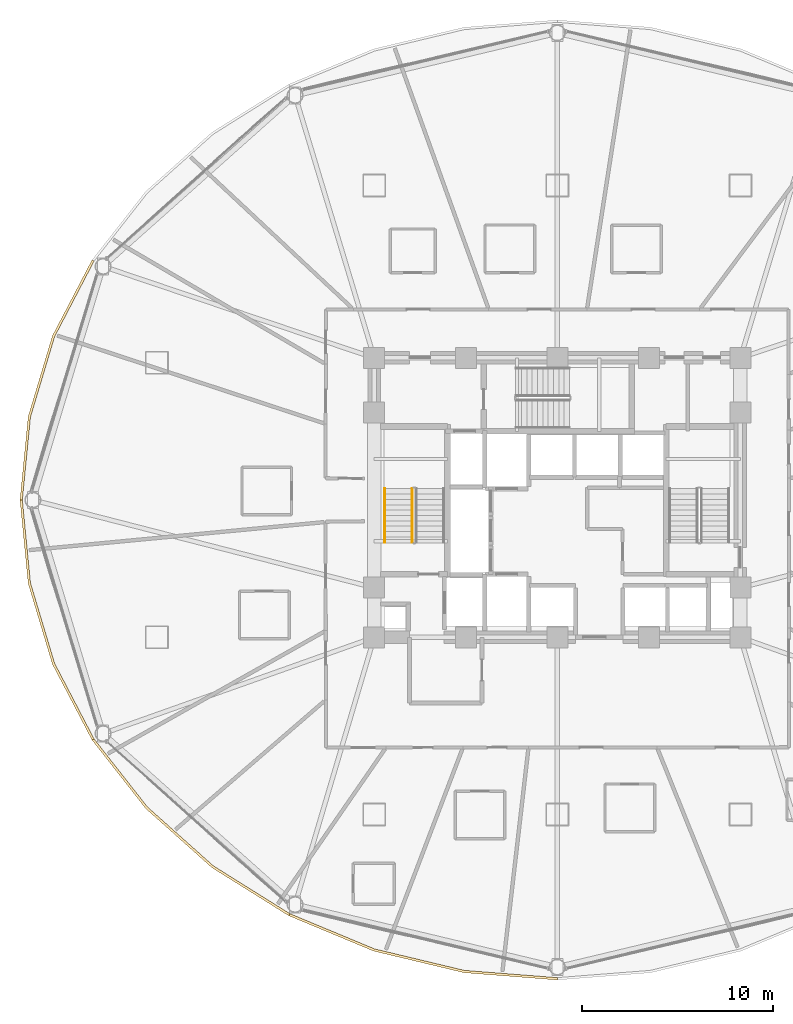
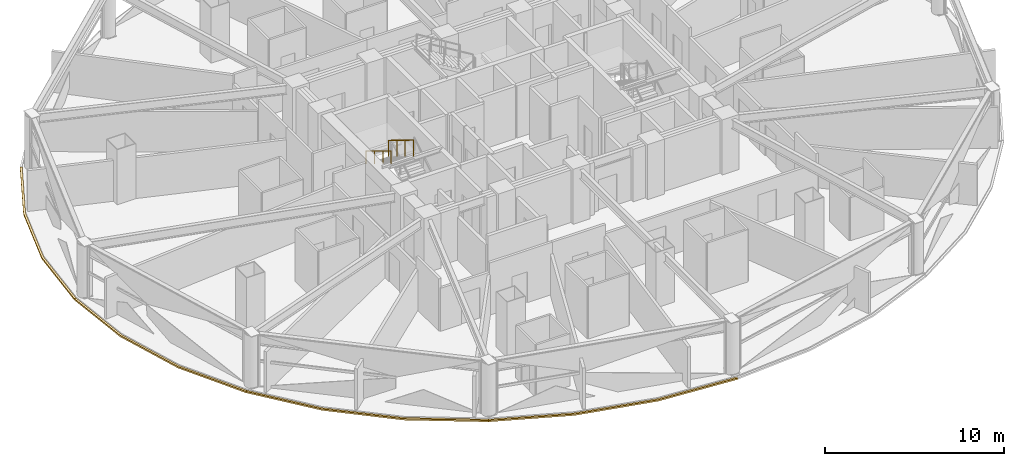
# One storey, part 26 of 30: 4 coverings, 2 railings.
"""IFC4 building model written with IfcOpenShell, lengths in metres."""

from ifc_helpers import new_model, si_unit, direction, frame, origin, origin_2d, place, context, subcontext, project, spatial, polyline, rectangle, outline, extrude, material, layer, layer_set, type_object, element, save


model = new_model("IFC4")

# Units and contexts
model_context = context("Model", 3, precision=1e-05, world=origin(), true_north=direction((0.0, 1.0)))
body_context = subcontext(model_context, "Body", "Model", "MODEL_VIEW")
ifc_project = project(units=[si_unit("LENGTHUNIT", "METRE"), si_unit("AREAUNIT", "SQUARE_METRE"), si_unit("VOLUMEUNIT", "CUBIC_METRE"), si_unit("PLANEANGLEUNIT", "RADIAN"), si_unit("MASSUNIT", "GRAM", prefix="KILO")], contexts=[model_context])

# Site, building, storey
site_placement = place(None, origin())
site = spatial("IfcSite", under=ifc_project, at=site_placement, CompositionType="ELEMENT")
building_placement = place(site_placement, origin())
building = spatial("IfcBuilding", under=site, at=building_placement, Name="Vantalir Tower", CompositionType="ELEMENT")
storey_placement = place(building_placement, frame((0.0, 0.0, 83.25)))
storey = spatial("IfcBuildingStorey", under=building, at=storey_placement, Name="L20", CompositionType="ELEMENT", Elevation=83.25)

# Coverings
ifc_material_1 = material(Name="Anodised champagne aluminium sill fascia", Category="aluminium")
ifc_layer = layer(ifc_material_1, 0.125)
ifc_layer_set = layer_set([ifc_layer], Name="Anodised champagne aluminium sill fascia")
covering_type = type_object("IfcCoveringType", Name="COV-SLAB-FASCIA-125", PredefinedType="CLADDING", material=ifc_layer_set)
covering_1_placement = place(storey_placement, frame((0.0, 0.0, -0.179931640625)))
element("IfcCovering", 1, at=covering_1_placement, inside=storey, type_object=covering_type, Name="L20 Perimeter Slab-Edge Sill Fascia 06", PredefinedType="CLADDING", context=body_context, shape_type="SweptSolid", body=[
    extrude(outline(polyline([(7.10009765625, 37.5849609375), (5.02392578125, 33.60888671875), (3.7529296875, 29.37109375), (3.324951171875, 25.0), (3.449951171875, 25.0), (3.8759765625, 29.34912109375), (5.14208984375, 33.56591796875), (7.2080078125, 37.52197265625), (7.10009765625, 37.5849609375)])), origin(), (0.0, 0.0, 1.0), 0.10498046875),
])
covering_2_placement = place(storey_placement, frame((0.0, 0.0, -0.179931640625)))
element("IfcCovering", 2, at=covering_2_placement, inside=storey, type_object=covering_type, Name="L20 Perimeter Slab-Edge Sill Fascia 07", PredefinedType="CLADDING", context=body_context, shape_type="SweptSolid", body=[
    extrude(outline(polyline([(3.324951171875, 25.0), (3.7529296875, 20.62890625), (5.02392578125, 16.39111328125), (7.10009765625, 12.4150390625), (7.2080078125, 12.47705078125), (5.14208984375, 16.43408203125), (3.8759765625, 20.65087890625), (3.449951171875, 25.0), (3.324951171875, 25.0)])), origin(), (0.0, 0.0, 1.0), 0.10498046875),
])
covering_3_placement = place(storey_placement, frame((0.0, 0.0, -0.179931640625)))
element("IfcCovering", 3, at=covering_3_placement, inside=storey, type_object=covering_type, Name="L20 Perimeter Slab-Edge Sill Fascia 08", PredefinedType="CLADDING", context=body_context, shape_type="SweptSolid", body=[
    extrude(outline(polyline([(7.10009765625, 12.4150390625), (9.9169921875, 8.821044921875), (13.388916015625, 5.718994140625), (17.412109375, 3.201904296875), (17.47509765625, 3.31005859375), (13.469970703125, 5.81396484375), (10.011962890625, 8.90087890625), (7.2080078125, 12.47705078125), (7.10009765625, 12.4150390625)])), origin(), (0.0, 0.0, 1.0), 0.10498046875),
])
covering_4_placement = place(storey_placement, frame((0.0, 0.0, -0.179931640625)))
element("IfcCovering", 4, at=covering_4_placement, inside=storey, type_object=covering_type, Name="L20 Perimeter Slab-Edge Sill Fascia 09", PredefinedType="CLADDING", context=body_context, shape_type="SweptSolid", body=[
    extrude(outline(polyline([(17.412109375, 3.201904296875), (21.864013671875, 1.347900390625), (26.60693359375, 0.2119140625), (31.5, -0.169921875), (31.5, -0.044921875), (26.62890625, 0.3349609375), (21.906005859375, 1.465087890625), (17.47509765625, 3.31005859375), (17.412109375, 3.201904296875)])), origin(), (0.0, 0.0, 1.0), 0.10498046875),
])

# Railings
ifc_material_2 = material(Name="Anodised aluminium and stainless steel guard", Category="steel")
railing_type_1 = type_object("IfcRailingType", Name="RAL-GUARD-1120", PredefinedType="GUARDRAIL", material=ifc_material_2)
railing_1_placement = place(storey_placement, frame((23.889892578125, 25.590087890625, 2.04541015625)))
element("IfcRailing", 5, at=railing_1_placement, inside=storey, type_object=railing_type_1, Name="L20 ST1 stair guard 3", PredefinedType="GUARDRAIL", context=body_context, shape_type="SweptSolid", body=[
    extrude(rectangle(XDim=0.048095703125, YDim=0.048095703125, at=origin_2d()), frame((0.0, 0.0, 1.09619140625), z_axis=(0.0, -0.854169791009, 0.51999420009), x_axis=(1.0, 0.0, 0.0)), (0.0, 0.0, 1.0), 3.278076171875),
    extrude(rectangle(XDim=0.0419921875, YDim=0.0419921875, at=origin_2d()), origin(), (0.0, 0.0, 1.0), 1.072021484375),
    extrude(rectangle(XDim=0.0419921875, YDim=0.0419921875, at=origin_2d()), frame((0.0, -0.933349609375, 0.568115234375)), (0.0, 0.0, 1.0), 1.072021484375),
    extrude(rectangle(XDim=0.0419921875, YDim=0.0419921875, at=origin_2d()), frame((0.0, -1.86669921875, 1.136474609375)), (0.0, 0.0, 1.0), 1.072021484375),
    extrude(rectangle(XDim=0.0419921875, YDim=0.0419921875, at=origin_2d()), frame((0.0, -2.800048828125, 1.70458984375)), (0.0, 0.0, 1.0), 1.072021484375),
])
ifc_material_3 = material(Name="Brushed stainless steel tubular handrail", Category="steel")
railing_type_2 = type_object("IfcRailingType", Name="RAL-HANDRAIL-900", PredefinedType="HANDRAIL", material=ifc_material_3)
railing_2_placement = place(storey_placement, frame((22.449951171875, 25.590087890625, 2.04541015625)))
element("IfcRailing", 6, at=railing_2_placement, inside=storey, type_object=railing_type_2, Name="L20 ST1 stair handrail 2", PredefinedType="HANDRAIL", context=body_context, shape_type="SweptSolid", body=[
    extrude(rectangle(XDim=0.048095703125, YDim=0.048095703125, at=origin_2d()), frame((0.0, 0.0, 0.8759765625), z_axis=(0.0, -0.854169791009, 0.51999420009), x_axis=(1.0, 0.0, 0.0)), (0.0, 0.0, 1.0), 3.278076171875),
    extrude(rectangle(XDim=0.0419921875, YDim=0.0419921875, at=origin_2d()), origin(), (0.0, 0.0, 1.0), 0.851806640625),
    extrude(rectangle(XDim=0.0419921875, YDim=0.0419921875, at=origin_2d()), frame((0.0, -0.933349609375, 0.568115234375)), (0.0, 0.0, 1.0), 0.851806640625),
    extrude(rectangle(XDim=0.0419921875, YDim=0.0419921875, at=origin_2d()), frame((0.0, -1.86669921875, 1.136474609375)), (0.0, 0.0, 1.0), 0.851806640625),
    extrude(rectangle(XDim=0.0419921875, YDim=0.0419921875, at=origin_2d()), frame((0.0, -2.800048828125, 1.70458984375)), (0.0, 0.0, 1.0), 0.851806640625),
])

save(model, "model.ifc")
